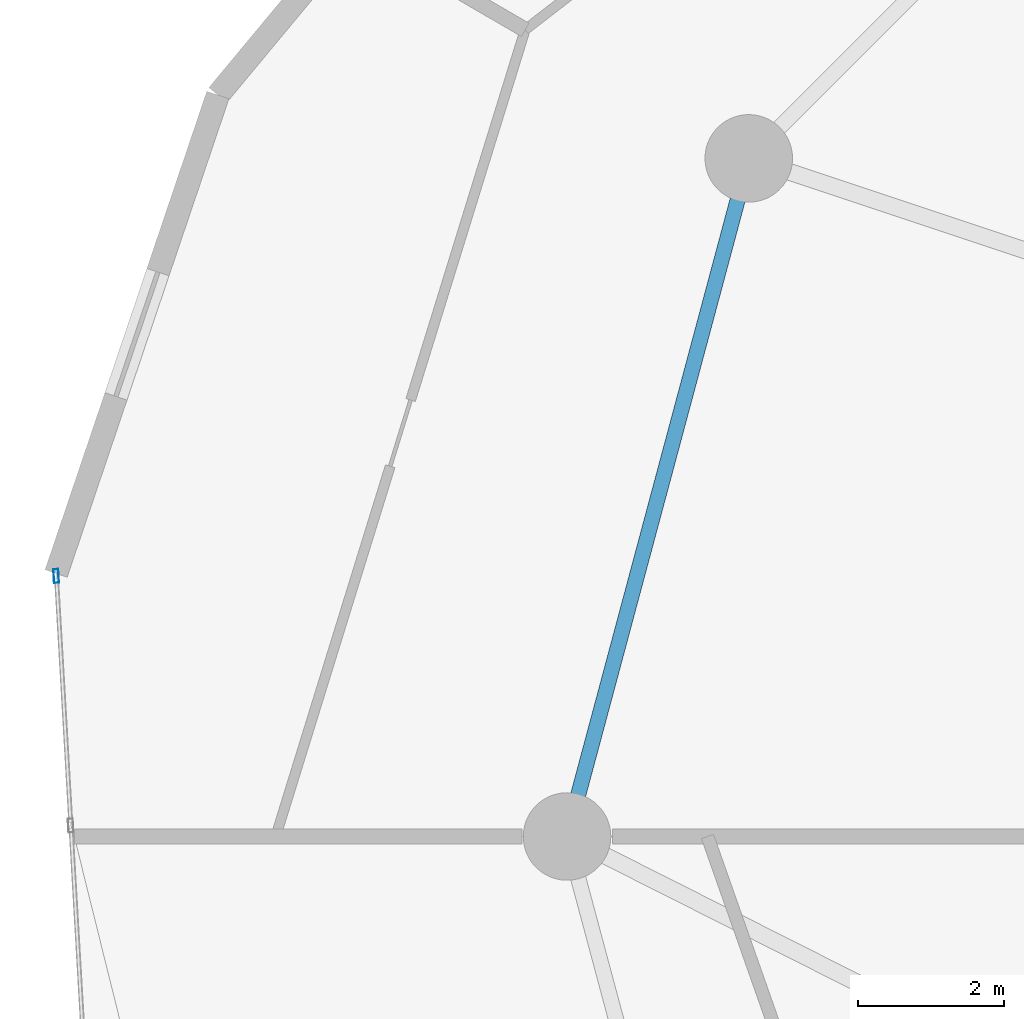
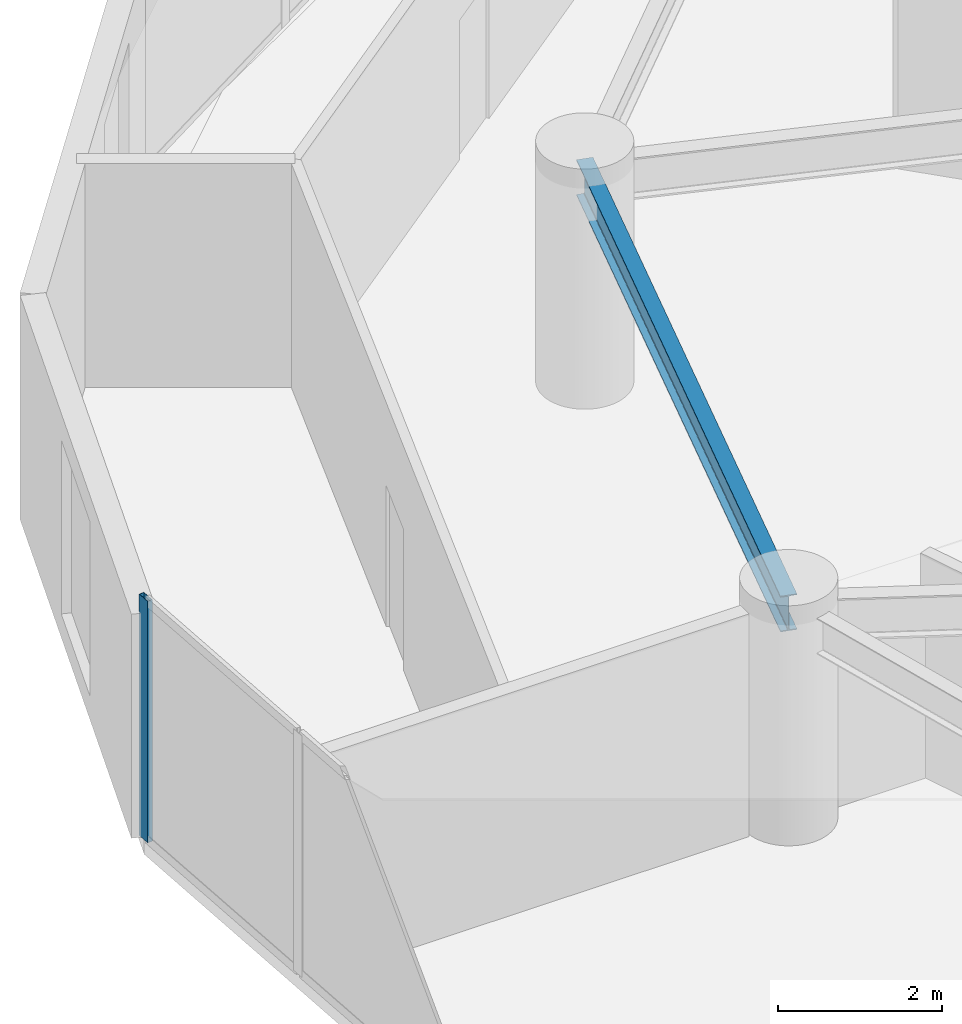
# One storey, part 6 of 23: 1 beam, 1 member, 1 element without a shape of its own.
"""IFC4 building model written with IfcOpenShell, lengths in metres."""

from ifc_helpers import new_model, si_unit, direction, frame, origin, origin_2d, place, context, subcontext, project, spatial, hollow_rectangle, i_section, extrude, source, transform, mapped, material, layer, layer_set, material_profile, profile_set, type_object, element, aggregate, save


model = new_model("IFC4")

# Units and contexts
model_context = context("Model", 3, precision=1e-05, world=origin(), true_north=direction((0.0, 1.0)))
body_context = subcontext(model_context, "Body", "Model", "MODEL_VIEW")
ifc_project = project(units=[si_unit("LENGTHUNIT", "METRE"), si_unit("AREAUNIT", "SQUARE_METRE"), si_unit("VOLUMEUNIT", "CUBIC_METRE"), si_unit("PLANEANGLEUNIT", "RADIAN"), si_unit("MASSUNIT", "GRAM", prefix="KILO")], contexts=[model_context])

# Site, building, storey
site_placement = place(None, origin())
site = spatial("IfcSite", under=ifc_project, at=site_placement, CompositionType="ELEMENT")
building_placement = place(site_placement, origin())
building = spatial("IfcBuilding", under=site, at=building_placement, Name="Solvirekh Grand Hotel", CompositionType="ELEMENT")
storey_placement = place(building_placement, frame((0.0, 0.0, 39.199951171875)))
storey = spatial("IfcBuildingStorey", under=building, at=storey_placement, Name="L08", CompositionType="ELEMENT", Elevation=39.199951171875)

# Beam
ifc_material_1 = material(Name="Steel S355", Category="steel")
ifc_material_profile_1 = material_profile(ifc_material_1, i_section(OverallWidth=0.208984375, OverallDepth=0.532958984375, WebThickness=0.010009765625, FlangeThickness=0.014892578125, FilletRadius=0.013916015625, at=origin_2d()), Name="W530X92")
ifc_profile_set_1 = profile_set([ifc_material_profile_1], Name="Steel S355")
beam_type = type_object("IfcBeamType", Name="Spandrel_Ring_W530", PredefinedType="SPANDREL", material=ifc_profile_set_1)
beam_placement = place(storey_placement, frame((-16.10791015625, 9.300048828125, 3.072998046875), z_axis=(-0.258842973314, -0.965919414426, 0.0), x_axis=(0.965919414426, -0.258842973314, 0.0)))
element("IfcBeam", 1, at=beam_placement, inside=storey, type_object=beam_type, Name="L08 perimeter spandrel beam 6", PredefinedType="SPANDREL", context=body_context, shape_type="SweptSolid", body=[
    extrude(i_section(OverallWidth=0.208984375, OverallDepth=0.532958984375, WebThickness=0.010009765625, FlangeThickness=0.014892578125, FilletRadius=0.013916015625, at=origin_2d()), origin(), (0.0, 0.0, 1.0), 9.628173828125),
])

# Curtain wall, member
ifc_material_2 = material(Name="Anodized Bronze Aluminium 6063-T6", Category="aluminium")
ifc_layer = layer(ifc_material_2, 0.18994140625)
ifc_layer_set = layer_set([ifc_layer], Name="Anodized Bronze Aluminium 6063-T6")
curtain_wall_type = type_object("IfcCurtainWallType", Name="CW_Sys2_LowZoneFlushBronzeCW", PredefinedType="NOTDEFINED", material=ifc_layer_set)
curtain_wall_placement = place(storey_placement, origin())
curtain_wall = element("IfcCurtainWall", 2, at=curtain_wall_placement, inside=storey, type_object=curtain_wall_type, Name="L08 unitised bronze-glass curtain wall CW-L08-C11", PredefinedType="NOTDEFINED")
ifc_material_profile_2 = material_profile(ifc_material_2, hollow_rectangle(XDim=0.070068359375, YDim=0.18994140625, WallThickness=0.0048828125, at=origin_2d()), Name="ALU RHS 190X70X5")
ifc_profile_set_2 = profile_set([ifc_material_profile_2], Name="Anodized Bronze Aluminium 6063-T6")
member_type = type_object("IfcMemberType", Name="CWMullion_Sys2", PredefinedType="MULLION", material=ifc_profile_set_2)
shared_shape = source(origin(), body_context, "Body", "SweptSolid", [
    extrude(hollow_rectangle(XDim=0.070068359375, YDim=0.18994140625, WallThickness=0.0048828125, at=origin_2d()), origin(), (0.0, 0.0, 1.0), 3.60009765625),
])
member_placement = place(storey_placement, frame((-25.60595703125, 3.572998046875, 0.0), z_axis=(0.0, 0.0, 1.0), x_axis=(0.998322331982, 0.057900962564, 0.0)))
member = element("IfcMember", 3, at=member_placement, type_object=member_type, Name="U02 mullion 1", PredefinedType="MULLION", context=body_context, shape_type="MappedRepresentation", body=[
    mapped(shared_shape, transform((0.0, 0.0, 0.0), x_axis=(1.0, 0.0, 0.0), y_axis=(0.0, 1.0, 0.0), z_axis=(0.0, 0.0, 1.0), scale=1.0)),
])
aggregate(curtain_wall, [member])

save(model, "model.ifc")
